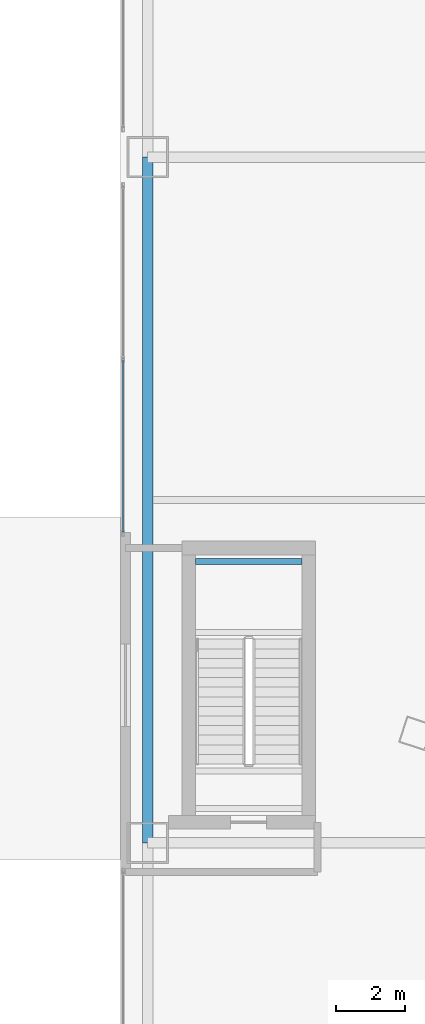
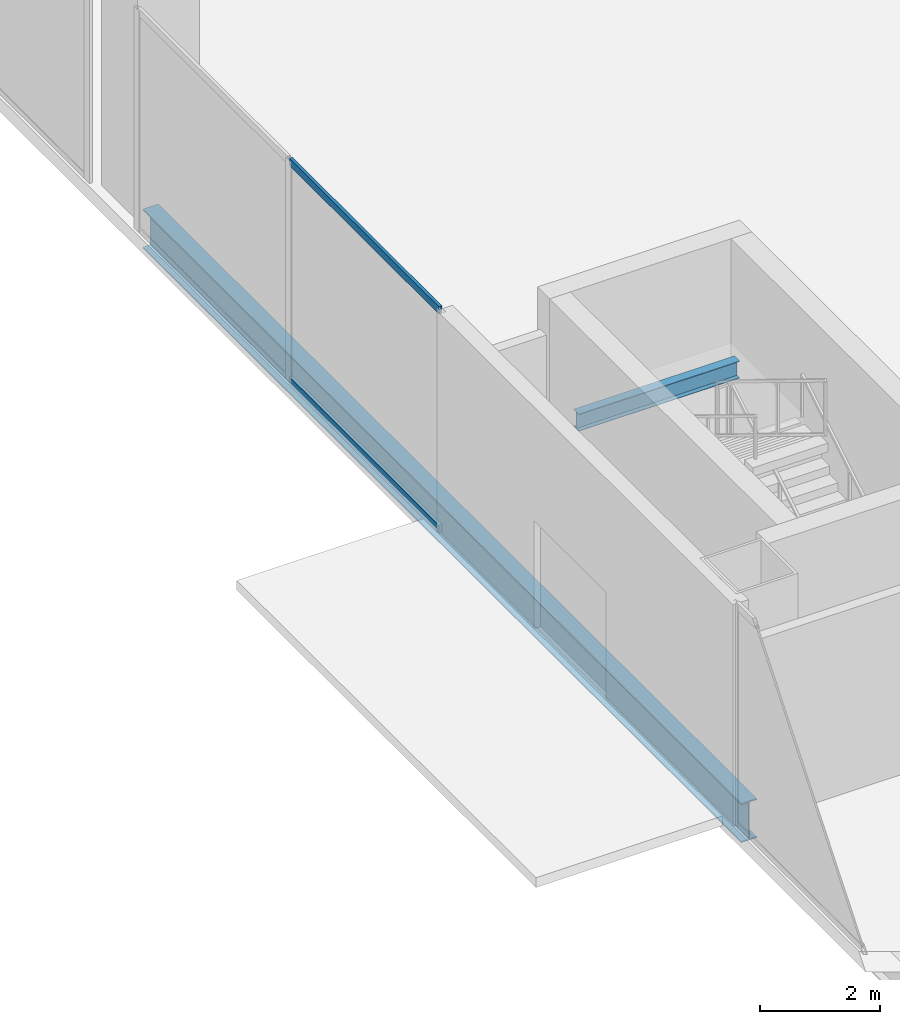
# One storey, part 13 of 58: 2 beams, 2 members, 1 element without a shape of its own.
"""IFC4 building model written with IfcOpenShell, lengths in metres."""

from ifc_helpers import new_model, si_unit, direction, frame, origin, origin_2d, place, context, subcontext, project, spatial, hollow_rectangle, i_section, extrude, source, transform, mapped, material, layer, layer_set, material_profile, profile_set, type_object, element, aggregate, save


model = new_model("IFC4")

# Units and contexts
model_context = context("Model", 3, precision=1e-05, world=origin(), true_north=direction((0.0, 1.0)))
body_context = subcontext(model_context, "Body", "Model", "MODEL_VIEW")
ifc_project = project(units=[si_unit("LENGTHUNIT", "METRE"), si_unit("AREAUNIT", "SQUARE_METRE"), si_unit("VOLUMEUNIT", "CUBIC_METRE"), si_unit("PLANEANGLEUNIT", "RADIAN"), si_unit("MASSUNIT", "GRAM", prefix="KILO"), si_unit("THERMODYNAMICTEMPERATUREUNIT", "KELVIN"), si_unit("POWERUNIT", "WATT")], contexts=[model_context])

# Site, building, storey
site_placement = place(None, origin())
site = spatial("IfcSite", under=ifc_project, at=site_placement, CompositionType="ELEMENT")
building_placement = place(site_placement, origin())
building = spatial("IfcBuilding", under=site, at=building_placement, Name="Yunzhuo Pagoda Commons", CompositionType="ELEMENT")
storey_placement = place(building_placement, origin())
storey = spatial("IfcBuildingStorey", under=building, at=storey_placement, Name="L01", CompositionType="ELEMENT", Elevation=0.0)

# Beams
ifc_material_1 = material(Name="Structural steel Q355B", Category="steel")
ifc_material_profile_1 = material_profile(ifc_material_1, i_section(OverallWidth=0.175048828125, OverallDepth=0.35009765625, WebThickness=0.007080078125, FlangeThickness=0.010986328125, at=origin_2d()), Name="Structural steel Q355B")
ifc_profile_set_1 = profile_set([ifc_material_profile_1], Name="Structural steel Q355B")
beam_type_1 = type_object("IfcBeamType", Name="B-JS2 Joist HN 350x175x7x11", PredefinedType="JOIST", material=ifc_profile_set_1)
shared_shape_1 = source(origin(), body_context, "Body", "SweptSolid", [
    extrude(i_section(OverallWidth=0.175048828125, OverallDepth=0.35009765625, WebThickness=0.007080078125, FlangeThickness=0.010986328125, at=origin_2d()), origin(), (0.0, 0.0, 1.0), 3.10009765625),
])
beam_1_placement = place(storey_placement, frame((6.199951171875, 50.199951171875, 2.02490234375), z_axis=(1.0, 0.0, 0.0), x_axis=(0.0, 1.0, 0.0)))
element("IfcBeam", 1, at=beam_1_placement, inside=storey, type_object=beam_type_1, Name="L01 PS3 landing support beam 3B", PredefinedType="JOIST", context=body_context, shape_type="MappedRepresentation", body=[
    mapped(shared_shape_1, transform((0.0, 0.0, 0.0), scale=1.0)),
])
ifc_material_profile_2 = material_profile(ifc_material_1, i_section(OverallWidth=0.300048828125, OverallDepth=0.800048828125, WebThickness=0.013916015625, FlangeThickness=0.02587890625, at=origin_2d()), Name="Structural steel Q355B")
ifc_profile_set_2 = profile_set([ifc_material_profile_2], Name="Structural steel Q355B")
beam_type_2 = type_object("IfcBeamType", Name="B-PD2 Beam HN 800x300x14x26", PredefinedType="BEAM", material=ifc_profile_set_2)
shared_shape_2 = source(origin(), body_context, "Body", "SweptSolid", [
    extrude(i_section(OverallWidth=0.300048828125, OverallDepth=0.800048828125, WebThickness=0.013916015625, FlangeThickness=0.02587890625, at=origin_2d()), origin(), (0.0, 0.0, 1.0), 20.0),
])
beam_2_placement = place(storey_placement, frame((4.800048828125, 42.0, -0.679931640625), z_axis=(0.0, 1.0, 0.0), x_axis=(-1.0, 0.0, 0.0)))
element("IfcBeam", 2, at=beam_2_placement, inside=storey, type_object=beam_type_2, Name="L01 podium girder NS 1.3", PredefinedType="BEAM", context=body_context, shape_type="MappedRepresentation", body=[
    mapped(shared_shape_2, transform((0.0, 0.0, 0.0), scale=1.0)),
])

# Curtain wall, members
ifc_material_2 = material(Name="Anodized aluminium 6063-T6", Category="aluminium")
ifc_layer = layer(ifc_material_2, 0.179931640625)
ifc_layer_set = layer_set([ifc_layer], Name="Anodized aluminium 6063-T6")
curtain_wall_type = type_object("IfcCurtainWallType", Name="CW-POD Waterfront Podium Curtain Wall", PredefinedType="NOTDEFINED", material=ifc_layer_set)
curtain_wall_placement = place(storey_placement, origin())
curtain_wall = element("IfcCurtainWall", 3, at=curtain_wall_placement, inside=storey, type_object=curtain_wall_type, Name="L01 curtain wall CW-L01-W3", PredefinedType="NOTDEFINED")
ifc_material_profile_3 = material_profile(ifc_material_2, hollow_rectangle(XDim=0.06005859375, YDim=0.14990234375, WallThickness=0.00390625, at=origin_2d()), Name="Anodized aluminium 6063-T6")
ifc_profile_set_3 = profile_set([ifc_material_profile_3], Name="Anodized aluminium 6063-T6")
member_type = type_object("IfcMemberType", Name="CW-POD-T Transom RHS 150x60x4", PredefinedType="USERDEFINED", material=ifc_profile_set_3)
shared_shape_3 = source(origin(), body_context, "Body", "SweptSolid", [
    extrude(hollow_rectangle(XDim=0.06005859375, YDim=0.14990234375, WallThickness=0.00390625, at=origin_2d()), origin(), (0.0, 0.0, 1.0), 5.00244140625),
])
member_1_placement = place(storey_placement, frame((4.080078125, 51.06494140625, 0.030029296875), z_axis=(0.0, 1.0, 0.0), x_axis=(-1.0, 0.0, 0.0)))
member_1 = element("IfcMember", 4, at=member_1_placement, type_object=member_type, Name="CW transom 1.1", ObjectType="TRANSOM", PredefinedType="USERDEFINED", context=body_context, shape_type="MappedRepresentation", body=[
    mapped(shared_shape_3, transform((0.0, 0.0, 0.0), scale=1.0)),
])
member_2_placement = place(storey_placement, frame((4.080078125, 51.06494140625, 4.489990234375), z_axis=(0.0, 1.0, 0.0), x_axis=(-1.0, 0.0, 0.0)))
member_2 = element("IfcMember", 5, at=member_2_placement, type_object=member_type, Name="CW transom 1.2", ObjectType="TRANSOM", PredefinedType="USERDEFINED", context=body_context, shape_type="MappedRepresentation", body=[
    mapped(shared_shape_3, transform((0.0, 0.0, 0.0), scale=1.0)),
])
aggregate(curtain_wall, [member_1, member_2])

save(model, "model.ifc")
